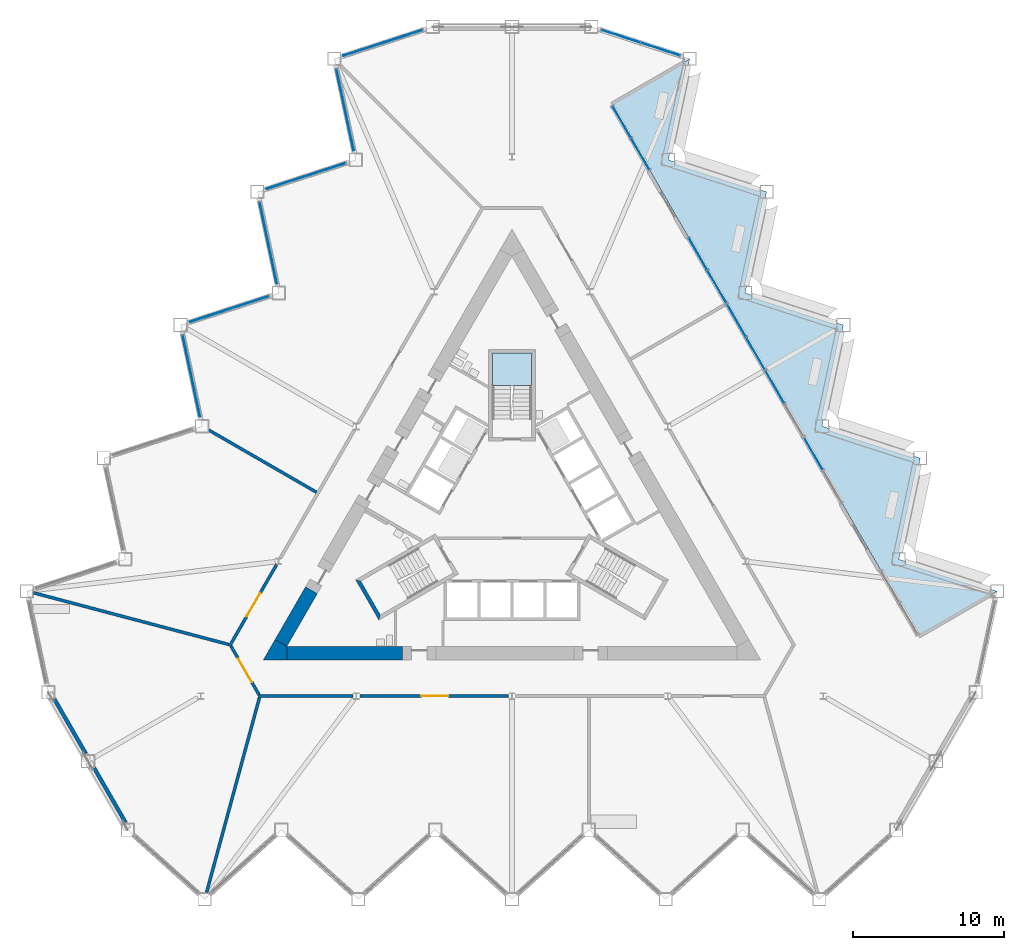
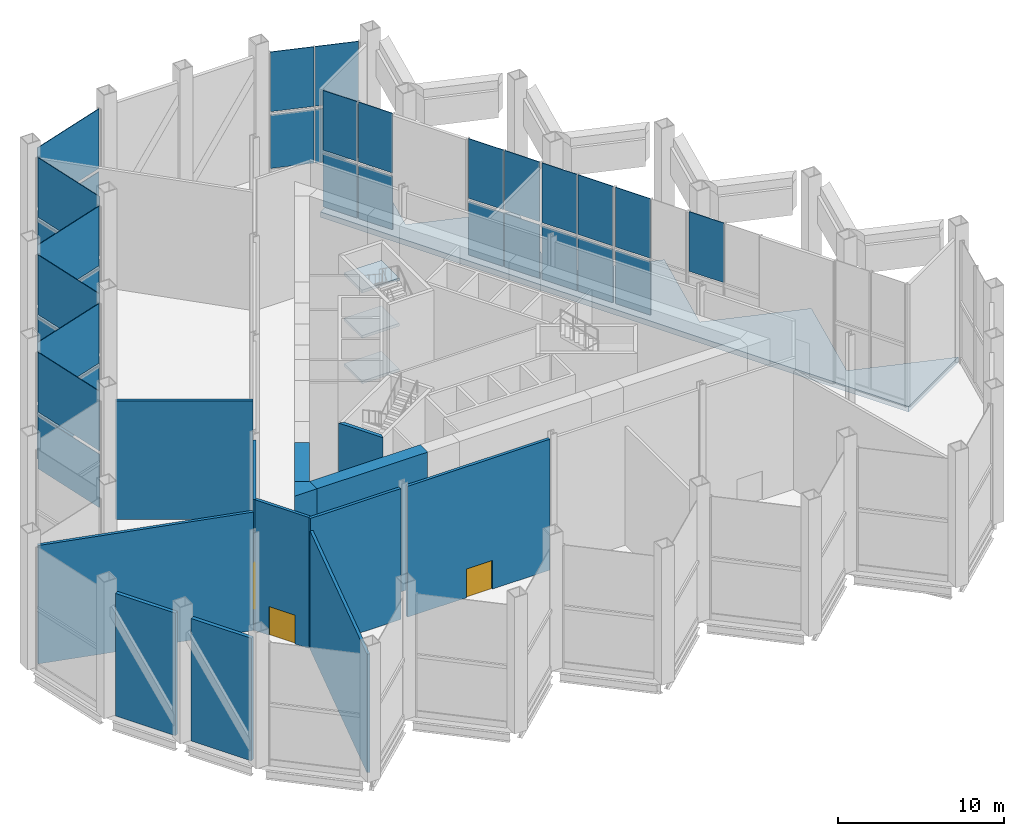
# One storey, part 8 of 18: 31 plates, 13 walls, 4 slabs, 3 doors, 3 openings, 8 elements without a shape of their own.
"""IFC4 building model written with IfcOpenShell, lengths in metres."""

import ifcopenshell
import ifcopenshell.guid

model = None  # the IFC model being written
_history = None  # IfcOwnerHistory: only IFC2X3 demands one
_inside = {}  # id of a spatial element -> (the spatial element, [elements in it])
_under = {}  # id of a project, library or spatial element -> (it, [spatial elements below it])
_declared = {}  # id of a project -> (the project, [libraries it declares])
_typed = {}  # id of a type object -> (the type object, [elements of that type])
_made_of = {}  # id of a material, layer set ... -> (it, [elements and type objects made of it])


def new_model(schema):
    """Start an empty IFC model of exactly this schema.

    Asked for "IFC4X3", IfcOpenShell would pick the latest addendum, in which some entities
    have other attributes; the version numbers below select the first issue.
    IFC2X3 requires an IfcOwnerHistory on every rooted entity: one is made here for all.
    """
    global model, _history
    if schema == "IFC4X3":
        model = ifcopenshell.file(schema_version=(4, 3, 0, 0))
    else:
        model = ifcopenshell.file(schema=schema)
    _inside.clear()
    _under.clear()
    _declared.clear()
    _typed.clear()
    _made_of.clear()
    _history = None
    if model.schema == "IFC2X3":
        org = make("IfcOrganization", Name="unknown")
        user = make(
            "IfcPersonAndOrganization",
            ThePerson=make("IfcPerson", FamilyName="unknown"),
            TheOrganization=org,
        )
        app = make(
            "IfcApplication",
            ApplicationDeveloper=org,
            Version="unknown",
            ApplicationFullName="unknown",
            ApplicationIdentifier="unknown",
        )
        _history = make(
            "IfcOwnerHistory",
            OwningUser=user,
            OwningApplication=app,
            ChangeAction="ADDED",
            CreationDate=0,
        )
    return model


def make(cls, **values):
    """One entity of the class cls with the attributes given. An attribute that is None is left unset."""
    return model.create_entity(
        cls, **{name: value for name, value in values.items() if value is not None}
    )


def rooted(cls, **values):
    """An entity with a GlobalId (a new one), such as an element, a storey or a relation."""
    return make(cls, GlobalId=ifcopenshell.guid.new(), OwnerHistory=_history, **values)


def si_unit(unit_type, name, prefix=None):
    """IfcSIUnit, for example si_unit("LENGTHUNIT", "METRE", prefix="MILLI")."""
    return make("IfcSIUnit", UnitType=unit_type, Prefix=prefix, Name=name)


def assignment(units):
    """IfcUnitAssignment: the units of a project."""
    return None if units is None else make("IfcUnitAssignment", Units=units)


def point(xyz):
    """IfcCartesianPoint."""
    return None if xyz is None else make("IfcCartesianPoint", Coordinates=xyz)


def direction(xyz):
    """IfcDirection."""
    return None if xyz is None else make("IfcDirection", DirectionRatios=xyz)


def frame(location, z_axis=None, x_axis=None):
    """IfcAxis2Placement3D, a coordinate frame: its origin and axes. An axis left out is left unset."""
    return make(
        "IfcAxis2Placement3D",
        Location=point(location),
        Axis=direction(z_axis),
        RefDirection=direction(x_axis),
    )


def frame_2d(location, x_axis=None):
    """IfcAxis2Placement2D, a coordinate frame in the plane: its origin and x axis."""
    return make(
        "IfcAxis2Placement2D", Location=point(location), RefDirection=direction(x_axis)
    )


def origin():
    """The frame at (0, 0, 0) with its axes left unset."""
    return frame((0.0, 0.0, 0.0))


def origin_2d():
    """The frame at (0, 0) in the plane with its x axis left unset."""
    return frame_2d((0.0, 0.0))


def place(relative_to, where):
    """IfcLocalPlacement: puts the frame where relative to a parent placement (None: the world)."""
    return make(
        "IfcLocalPlacement", PlacementRelTo=relative_to, RelativePlacement=where
    )


def context(
    kind, dimensions, precision=None, world=None, true_north=None, identifier=None
):
    """IfcGeometricRepresentationContext, for example the 3D "Model" context."""
    return make(
        "IfcGeometricRepresentationContext",
        ContextIdentifier=identifier,
        ContextType=kind,
        CoordinateSpaceDimension=dimensions,
        Precision=precision,
        WorldCoordinateSystem=world,
        TrueNorth=true_north,
    )


def subcontext(parent, identifier, kind, view, scale=None):
    """IfcGeometricRepresentationSubContext, for example "Body" below "Model"."""
    return make(
        "IfcGeometricRepresentationSubContext",
        ContextIdentifier=identifier,
        ContextType=kind,
        ParentContext=parent,
        TargetScale=scale,
        TargetView=view,
    )


def project(units=None, contexts=None):
    """IfcProject with its units and contexts."""
    return rooted(
        "IfcProject",
        Name="project",
        RepresentationContexts=contexts,
        UnitsInContext=assignment(units),
    )


def spatial(cls, under=None, at=None, **own):
    """A site, building, storey or space (cls), placed at a placement, below another one or the project."""
    s = rooted(cls, ObjectPlacement=at, **own)
    if under is not None:
        _under.setdefault(under.id(), (under, []))[1].append(s)
    return s


def polyline(points):
    """IfcPolyline through the points."""
    return make("IfcPolyline", Points=[point(p) for p in points])


def profile(cls, at=None, kind="AREA", **sizes):
    """A parametric profile (cls). Its sizes go by their IFC names, for example OverallWidth=200.0."""
    return make(cls, ProfileType=kind, Position=at, **sizes)


def rectangle(**sizes):
    """IfcRectangleProfileDef."""
    return profile("IfcRectangleProfileDef", **sizes)


def outline(outer, holes=None, kind="AREA"):
    """IfcArbitraryClosedProfileDef: a profile drawn as a closed curve; with holes, ...WithVoids."""
    if holes is None:
        return make("IfcArbitraryClosedProfileDef", ProfileType=kind, OuterCurve=outer)
    return make(
        "IfcArbitraryProfileDefWithVoids",
        ProfileType=kind,
        OuterCurve=outer,
        InnerCurves=holes,
    )


def extrude(swept, where, along, depth):
    """IfcExtrudedAreaSolid: the profile swept, set in the frame where, extruded along a direction by depth."""
    return make(
        "IfcExtrudedAreaSolid",
        SweptArea=swept,
        Position=where,
        ExtrudedDirection=direction(along),
        Depth=depth,
    )


def shape(context_of_items, identifier, shape_type, items):
    """IfcShapeRepresentation: the items that make up one representation, for example the "Body"."""
    return make(
        "IfcShapeRepresentation",
        ContextOfItems=context_of_items,
        RepresentationIdentifier=identifier,
        RepresentationType=shape_type,
        Items=items,
    )


def material(Name=None, Category=None):
    """IfcMaterial."""
    return make("IfcMaterial", Name=Name, Category=Category)


def layer(
    of_material, thickness, ventilated=None, Name=None, Category=None, Priority=None
):
    """IfcMaterialLayer: one layer of a wall or slab, of a material (None: an air gap)."""
    return make(
        "IfcMaterialLayer",
        Material=of_material,
        LayerThickness=thickness,
        IsVentilated=ventilated,
        Name=Name,
        Category=Category,
        Priority=Priority,
    )


def layer_set(layers, Name=None):
    """IfcMaterialLayerSet."""
    return make("IfcMaterialLayerSet", MaterialLayers=layers, LayerSetName=Name)


def made_of(thing, what):
    """Note that an element or type object is made of a material, layer set ...; save() writes the relation."""
    if what is not None:
        _made_of.setdefault(what.id(), (what, []))[1].append(thing)
    return thing


def type_object(cls, material=None, **own):
    """A type object (cls), such as IfcWallType, which elements share."""
    return made_of(rooted(cls, **own), material)


def element(
    cls,
    number,
    at=None,
    inside=None,
    cuts=None,
    type_object=None,
    material=None,
    context=None,
    identifier="Body",
    shape_type=None,
    held_by="IfcProductDefinitionShape",
    body=None,
    shapes=None,
    **own,
):
    """One element of the class cls, such as IfcWall. Its Tag is "e" and its number.

    at: its placement. inside: the storey or other place that contains it. cuts: it is an
    opening in that element (IfcRelVoidsElement). A single representation is given by context,
    identifier, shape_type and body (its items); several are given by shapes. held_by: the class
    of the entity that holds the representations. save() writes the other relations.
    """
    e = rooted(cls, Tag="e%d" % number, ObjectPlacement=at, **own)
    if body is not None:
        shapes = [shape(context, identifier, shape_type, body)]
    if shapes is not None:
        e.Representation = make(held_by, Representations=shapes)
    if inside is not None:
        _inside.setdefault(inside.id(), (inside, []))[1].append(e)
    if cuts is not None:
        rooted(
            "IfcRelVoidsElement", RelatingBuildingElement=cuts, RelatedOpeningElement=e
        )
    if type_object is not None:
        _typed.setdefault(type_object.id(), (type_object, []))[1].append(e)
    return made_of(e, material)


def fill(opening, filler):
    """IfcRelFillsElement: the door or window that sits in an opening."""
    return rooted(
        "IfcRelFillsElement",
        RelatingOpeningElement=opening,
        RelatedBuildingElement=filler,
    )


def aggregate(whole, parts):
    """IfcRelAggregates: a whole, such as a stair, and the parts it consists of."""
    return rooted("IfcRelAggregates", RelatingObject=whole, RelatedObjects=parts)


def save(model, path):
    """Write the relations noted so far, then the file.

    IfcRelAggregates (storeys below a building ...), IfcRelContainedInSpatialStructure (elements
    in a storey), IfcRelDefinesByType, IfcRelAssociatesMaterial and IfcRelDeclares: one each for
    every whole, place, type object, material and project.
    """
    for whole, parts in _under.values():
        aggregate(whole, parts)
    for where, things in _inside.values():
        rooted(
            "IfcRelContainedInSpatialStructure",
            RelatedElements=things,
            RelatingStructure=where,
        )
    for kind, things in _typed.values():
        rooted("IfcRelDefinesByType", RelatedObjects=things, RelatingType=kind)
    for what, things in _made_of.values():
        rooted("IfcRelAssociatesMaterial", RelatedObjects=things, RelatingMaterial=what)
    for by, libraries in _declared.values():
        rooted("IfcRelDeclares", RelatingContext=by, RelatedDefinitions=libraries)
    model.write(path)


model = new_model("IFC4")

# Units and contexts
model_context = context("Model", 3, precision=1e-05, world=origin(), true_north=direction((0.0, 1.0)))
body_context = subcontext(model_context, "Body", "Model", "MODEL_VIEW")
ifc_project = project(units=[si_unit("LENGTHUNIT", "METRE"), si_unit("AREAUNIT", "SQUARE_METRE"), si_unit("VOLUMEUNIT", "CUBIC_METRE"), si_unit("PLANEANGLEUNIT", "RADIAN"), si_unit("MASSUNIT", "GRAM", prefix="KILO")], contexts=[model_context])

# Site, building, storey
site_placement = place(None, origin())
site = spatial("IfcSite", under=ifc_project, at=site_placement, CompositionType="ELEMENT")
building_placement = place(site_placement, origin())
building = spatial("IfcBuilding", under=site, at=building_placement, Name="Cormorant Prow Tower", CompositionType="ELEMENT")
storey_placement = place(building_placement, frame((0.0, 0.0, 154.199951171875)))
storey = spatial("IfcBuildingStorey", under=building, at=storey_placement, Name="L33", CompositionType="ELEMENT", Elevation=154.199951171875)

# Curtain wall, plates
ifc_material_1 = material(Name="Aluminium 6063-T6", Category="aluminium")
ifc_layer_1 = layer(ifc_material_1, 0.300048828125)
ifc_layer_set_1 = layer_set([ifc_layer_1], Name="Aluminium 6063-T6")
curtain_wall_type = type_object("IfcCurtainWallType", Name="Sky lobby unitised curtain wall 300", PredefinedType="NOTDEFINED", material=ifc_layer_set_1)
curtain_wall_1_placement = place(storey_placement, origin())
curtain_wall_1 = element("IfcCurtainWall", 1, at=curtain_wall_1_placement, inside=storey, type_object=curtain_wall_type, Name="Sky lobby curtain wall ENE09", PredefinedType="NOTDEFINED")
ifc_material_2 = material(Name="Clear glass", Category="glass")
ifc_layer_2 = layer(ifc_material_2, 0.0439453125)
ifc_layer_set_2 = layer_set([ifc_layer_2], Name="Clear glass")
plate_type = type_object("IfcPlateType", Name="Sky lobby glass panel 44", PredefinedType="CURTAIN_PANEL", material=ifc_layer_set_2)
plate_1_placement = place(storey_placement, frame((9.84326171875, 31.0009765625, 0.4501953125), z_axis=(0.0, 0.0, 1.0), x_axis=(-0.951056482101, 0.309017099613, 0.0)))
plate_1 = element("IfcPlate", 2, at=plate_1_placement, type_object=plate_type, Name="Sky lobby glass panel ENE09", PredefinedType="CURTAIN_PANEL", context=body_context, shape_type="SweptSolid", body=[
    extrude(rectangle(XDim=2.67529296875, YDim=0.0439453125, at=origin_2d()), origin(), (0.0, 0.0, 1.0), 3.92431640625),
])
plate_2_placement = place(storey_placement, frame((7.222900390625, 31.852294921875, 0.4501953125), z_axis=(0.0, 0.0, 1.0), x_axis=(-0.951056482101, 0.309017099613, 0.0)))
plate_2 = element("IfcPlate", 3, at=plate_2_placement, type_object=plate_type, Name="Sky lobby glass panel ENE09", PredefinedType="CURTAIN_PANEL", context=body_context, shape_type="SweptSolid", body=[
    extrude(rectangle(XDim=2.67529296875, YDim=0.0439453125, at=origin_2d()), origin(), (0.0, 0.0, 1.0), 3.92431640625),
])
plate_3_placement = place(storey_placement, frame((9.84326171875, 31.0009765625, 4.614501953125), z_axis=(0.0, 0.0, 1.0), x_axis=(-0.951056482101, 0.309017099613, 0.0)))
plate_3 = element("IfcPlate", 4, at=plate_3_placement, type_object=plate_type, Name="Sky lobby glass panel ENE09", PredefinedType="CURTAIN_PANEL", context=body_context, shape_type="SweptSolid", body=[
    extrude(rectangle(XDim=2.67529296875, YDim=0.0439453125, at=origin_2d()), origin(), (0.0, 0.0, 1.0), 4.37451171875),
])
plate_4_placement = place(storey_placement, frame((7.222900390625, 31.852294921875, 4.614501953125), z_axis=(0.0, 0.0, 1.0), x_axis=(-0.951056482101, 0.309017099613, 0.0)))
plate_4 = element("IfcPlate", 5, at=plate_4_placement, type_object=plate_type, Name="Sky lobby glass panel ENE09", PredefinedType="CURTAIN_PANEL", context=body_context, shape_type="SweptSolid", body=[
    extrude(rectangle(XDim=2.67529296875, YDim=0.0439453125, at=origin_2d()), origin(), (0.0, 0.0, 1.0), 4.37451171875),
])
aggregate(curtain_wall_1, [plate_1, plate_2, plate_3, plate_4])

curtain_wall_2_placement = place(storey_placement, origin())
curtain_wall_2 = element("IfcCurtainWall", 6, at=curtain_wall_2_placement, inside=storey, type_object=curtain_wall_type, Name="Sky lobby curtain wall WNW00-WNW09", PredefinedType="NOTDEFINED")
plate_5_placement = place(storey_placement, frame((-8.571044921875, 31.414306640625, 0.4501953125), z_axis=(0.0, 0.0, 1.0), x_axis=(-0.951056482101, -0.309017099613, 0.0)))
plate_5 = element("IfcPlate", 7, at=plate_5_placement, type_object=plate_type, Name="Sky lobby glass panel WNW00-WNW09", PredefinedType="CURTAIN_PANEL", context=body_context, shape_type="SweptSolid", body=[
    extrude(rectangle(XDim=5.5107421875, YDim=0.0439453125, at=origin_2d()), origin(), (0.0, 0.0, 1.0), 3.92431640625),
])
plate_6_placement = place(storey_placement, frame((-8.571044921875, 31.414306640625, 4.614501953125), z_axis=(0.0, 0.0, 1.0), x_axis=(-0.951056482101, -0.309017099613, 0.0)))
plate_6 = element("IfcPlate", 8, at=plate_6_placement, type_object=plate_type, Name="Sky lobby glass panel WNW00-WNW09", PredefinedType="CURTAIN_PANEL", context=body_context, shape_type="SweptSolid", body=[
    extrude(rectangle(XDim=5.5107421875, YDim=0.0439453125, at=origin_2d()), origin(), (0.0, 0.0, 1.0), 4.37451171875),
])
plate_7_placement = place(storey_placement, frame((-11.07470703125, 26.970703125, 0.4501953125), z_axis=(0.0, 0.0, 1.0), x_axis=(0.207911585518, -0.978147623116, 0.0)))
plate_7 = element("IfcPlate", 9, at=plate_7_placement, type_object=plate_type, Name="Sky lobby glass panel WNW00-WNW09", PredefinedType="CURTAIN_PANEL", context=body_context, shape_type="SweptSolid", body=[
    extrude(rectangle(XDim=5.5107421875, YDim=0.0439453125, at=origin_2d()), origin(), (0.0, 0.0, 1.0), 3.92431640625),
])
plate_8_placement = place(storey_placement, frame((-11.07470703125, 26.970703125, 4.614501953125), z_axis=(0.0, 0.0, 1.0), x_axis=(0.207911585518, -0.978147623116, 0.0)))
plate_8 = element("IfcPlate", 10, at=plate_8_placement, type_object=plate_type, Name="Sky lobby glass panel WNW00-WNW09", PredefinedType="CURTAIN_PANEL", context=body_context, shape_type="SweptSolid", body=[
    extrude(rectangle(XDim=5.5107421875, YDim=0.0439453125, at=origin_2d()), origin(), (0.0, 0.0, 1.0), 4.37451171875),
])
plate_9_placement = place(storey_placement, frame((-13.671142578125, 22.580810546875, 0.4501953125), z_axis=(0.0, 0.0, 1.0), x_axis=(-0.951056496016, -0.309017056787, 0.0)))
plate_9 = element("IfcPlate", 11, at=plate_9_placement, type_object=plate_type, Name="Sky lobby glass panel WNW00-WNW09", PredefinedType="CURTAIN_PANEL", context=body_context, shape_type="SweptSolid", body=[
    extrude(rectangle(XDim=5.5107421875, YDim=0.0439453125, at=origin_2d()), origin(), (0.0, 0.0, 1.0), 3.92431640625),
])
plate_10_placement = place(storey_placement, frame((-13.671142578125, 22.580810546875, 4.614501953125), z_axis=(0.0, 0.0, 1.0), x_axis=(-0.951056496016, -0.309017056787, 0.0)))
plate_10 = element("IfcPlate", 12, at=plate_10_placement, type_object=plate_type, Name="Sky lobby glass panel WNW00-WNW09", PredefinedType="CURTAIN_PANEL", context=body_context, shape_type="SweptSolid", body=[
    extrude(rectangle(XDim=5.5107421875, YDim=0.0439453125, at=origin_2d()), origin(), (0.0, 0.0, 1.0), 4.37451171875),
])
plate_11_placement = place(storey_placement, frame((-16.174560546875, 18.137451171875, 0.4501953125), z_axis=(0.0, 0.0, 1.0), x_axis=(0.207911724944, -0.97814759348, 0.0)))
plate_11 = element("IfcPlate", 13, at=plate_11_placement, type_object=plate_type, Name="Sky lobby glass panel WNW00-WNW09", PredefinedType="CURTAIN_PANEL", context=body_context, shape_type="SweptSolid", body=[
    extrude(rectangle(XDim=5.5107421875, YDim=0.0439453125, at=origin_2d()), origin(), (0.0, 0.0, 1.0), 3.92431640625),
])
plate_12_placement = place(storey_placement, frame((-16.174560546875, 18.137451171875, 4.614501953125), z_axis=(0.0, 0.0, 1.0), x_axis=(0.207911724944, -0.97814759348, 0.0)))
plate_12 = element("IfcPlate", 14, at=plate_12_placement, type_object=plate_type, Name="Sky lobby glass panel WNW00-WNW09", PredefinedType="CURTAIN_PANEL", context=body_context, shape_type="SweptSolid", body=[
    extrude(rectangle(XDim=5.5107421875, YDim=0.0439453125, at=origin_2d()), origin(), (0.0, 0.0, 1.0), 4.37451171875),
])
plate_13_placement = place(storey_placement, frame((-18.77099609375, 13.74755859375, 0.4501953125), z_axis=(0.0, 0.0, 1.0), x_axis=(-0.951056496016, -0.309017056787, 0.0)))
plate_13 = element("IfcPlate", 15, at=plate_13_placement, type_object=plate_type, Name="Sky lobby glass panel WNW00-WNW09", PredefinedType="CURTAIN_PANEL", context=body_context, shape_type="SweptSolid", body=[
    extrude(rectangle(XDim=5.5107421875, YDim=0.0439453125, at=origin_2d()), origin(), (0.0, 0.0, 1.0), 3.92431640625),
])
plate_14_placement = place(storey_placement, frame((-18.77099609375, 13.74755859375, 4.614501953125), z_axis=(0.0, 0.0, 1.0), x_axis=(-0.951056496016, -0.309017056787, 0.0)))
plate_14 = element("IfcPlate", 16, at=plate_14_placement, type_object=plate_type, Name="Sky lobby glass panel WNW00-WNW09", PredefinedType="CURTAIN_PANEL", context=body_context, shape_type="SweptSolid", body=[
    extrude(rectangle(XDim=5.5107421875, YDim=0.0439453125, at=origin_2d()), origin(), (0.0, 0.0, 1.0), 4.37451171875),
])
plate_15_placement = place(storey_placement, frame((-21.274658203125, 9.30419921875, 0.4501953125), z_axis=(0.0, 0.0, 1.0), x_axis=(0.207911724944, -0.97814759348, 0.0)))
plate_15 = element("IfcPlate", 17, at=plate_15_placement, type_object=plate_type, Name="Sky lobby glass panel WNW00-WNW09", PredefinedType="CURTAIN_PANEL", context=body_context, shape_type="SweptSolid", body=[
    extrude(rectangle(XDim=5.5107421875, YDim=0.0439453125, at=origin_2d()), origin(), (0.0, 0.0, 1.0), 3.92431640625),
])
plate_16_placement = place(storey_placement, frame((-21.274658203125, 9.30419921875, 4.614501953125), z_axis=(0.0, 0.0, 1.0), x_axis=(0.207911724944, -0.97814759348, 0.0)))
plate_16 = element("IfcPlate", 18, at=plate_16_placement, type_object=plate_type, Name="Sky lobby glass panel WNW00-WNW09", PredefinedType="CURTAIN_PANEL", context=body_context, shape_type="SweptSolid", body=[
    extrude(rectangle(XDim=5.5107421875, YDim=0.0439453125, at=origin_2d()), origin(), (0.0, 0.0, 1.0), 4.37451171875),
])
aggregate(curtain_wall_2, [plate_5, plate_6, plate_7, plate_8, plate_9, plate_10, plate_11, plate_12, plate_13, plate_14, plate_15, plate_16])

# Curtain wall, plate
curtain_wall_3_placement = place(storey_placement, origin())
curtain_wall_3 = element("IfcCurtainWall", 19, at=curtain_wall_3_placement, inside=storey, type_object=curtain_wall_type, Name="Sky lobby curtain wall loggia ENE03", PredefinedType="NOTDEFINED")
plate_17_placement = place(storey_placement, frame((19.99755859375, 4.161376953125, 4.614501953125), z_axis=(0.0, 0.0, 1.0), x_axis=(-0.499999988603, 0.866025410364, 0.0)))
plate_17 = element("IfcPlate", 20, at=plate_17_placement, type_object=plate_type, Name="Sky lobby glass panel loggia ENE03", PredefinedType="CURTAIN_PANEL", context=body_context, shape_type="SweptSolid", body=[
    extrude(rectangle(XDim=2.429931640625, YDim=0.0439453125, at=origin_2d()), origin(), (0.0, 0.0, 1.0), 4.37451171875),
])
aggregate(curtain_wall_3, [plate_17])

# Curtain wall, plates
curtain_wall_4_placement = place(storey_placement, origin())
curtain_wall_4 = element("IfcCurtainWall", 21, at=curtain_wall_4_placement, inside=storey, type_object=curtain_wall_type, Name="Sky lobby curtain wall loggia ENE04", PredefinedType="NOTDEFINED")
plate_18_placement = place(storey_placement, frame((17.44775390625, 8.578125, 0.4501953125), z_axis=(0.0, 0.0, 1.0), x_axis=(-0.499999988603, 0.866025410364, 0.0)))
plate_18 = element("IfcPlate", 22, at=plate_18_placement, type_object=plate_type, Name="Sky lobby glass panel loggia ENE04", PredefinedType="CURTAIN_PANEL", context=body_context, shape_type="SweptSolid", body=[
    extrude(rectangle(XDim=2.429931640625, YDim=0.0439453125, at=origin_2d()), origin(), (0.0, 0.0, 1.0), 3.92431640625),
])
plate_19_placement = place(storey_placement, frame((17.44775390625, 8.578125, 4.614501953125), z_axis=(0.0, 0.0, 1.0), x_axis=(-0.499999988603, 0.866025410364, 0.0)))
plate_19 = element("IfcPlate", 23, at=plate_19_placement, type_object=plate_type, Name="Sky lobby glass panel loggia ENE04", PredefinedType="CURTAIN_PANEL", context=body_context, shape_type="SweptSolid", body=[
    extrude(rectangle(XDim=2.429931640625, YDim=0.0439453125, at=origin_2d()), origin(), (0.0, 0.0, 1.0), 4.37451171875),
])
aggregate(curtain_wall_4, [plate_18, plate_19])

curtain_wall_5_placement = place(storey_placement, origin())
curtain_wall_5 = element("IfcCurtainWall", 24, at=curtain_wall_5_placement, inside=storey, type_object=curtain_wall_type, Name="Sky lobby curtain wall loggia ENE05", PredefinedType="NOTDEFINED")
plate_20_placement = place(storey_placement, frame((16.152587890625, 10.821044921875, 0.4501953125), z_axis=(0.0, 0.0, 1.0), x_axis=(-0.499999988603, 0.866025410364, 0.0)))
plate_20 = element("IfcPlate", 25, at=plate_20_placement, type_object=plate_type, Name="Sky lobby glass panel loggia ENE05", PredefinedType="CURTAIN_PANEL", context=body_context, shape_type="SweptSolid", body=[
    extrude(rectangle(XDim=2.429931640625, YDim=0.0439453125, at=origin_2d()), origin(), (0.0, 0.0, 1.0), 3.92431640625),
])
plate_21_placement = place(storey_placement, frame((14.897705078125, 12.994873046875, 0.4501953125), z_axis=(0.0, 0.0, 1.0), x_axis=(-0.499999988603, 0.866025410364, 0.0)))
plate_21 = element("IfcPlate", 26, at=plate_21_placement, type_object=plate_type, Name="Sky lobby glass panel loggia ENE05", PredefinedType="CURTAIN_PANEL", context=body_context, shape_type="SweptSolid", body=[
    extrude(rectangle(XDim=2.429931640625, YDim=0.0439453125, at=origin_2d()), origin(), (0.0, 0.0, 1.0), 3.92431640625),
])
plate_22_placement = place(storey_placement, frame((16.152587890625, 10.821044921875, 4.614501953125), z_axis=(0.0, 0.0, 1.0), x_axis=(-0.499999988603, 0.866025410364, 0.0)))
plate_22 = element("IfcPlate", 27, at=plate_22_placement, type_object=plate_type, Name="Sky lobby glass panel loggia ENE05", PredefinedType="CURTAIN_PANEL", context=body_context, shape_type="SweptSolid", body=[
    extrude(rectangle(XDim=2.429931640625, YDim=0.0439453125, at=origin_2d()), origin(), (0.0, 0.0, 1.0), 4.37451171875),
])
plate_23_placement = place(storey_placement, frame((14.897705078125, 12.994873046875, 4.614501953125), z_axis=(0.0, 0.0, 1.0), x_axis=(-0.499999988603, 0.866025410364, 0.0)))
plate_23 = element("IfcPlate", 28, at=plate_23_placement, type_object=plate_type, Name="Sky lobby glass panel loggia ENE05", PredefinedType="CURTAIN_PANEL", context=body_context, shape_type="SweptSolid", body=[
    extrude(rectangle(XDim=2.429931640625, YDim=0.0439453125, at=origin_2d()), origin(), (0.0, 0.0, 1.0), 4.37451171875),
])
aggregate(curtain_wall_5, [plate_20, plate_21, plate_22, plate_23])

curtain_wall_6_placement = place(storey_placement, origin())
curtain_wall_6 = element("IfcCurtainWall", 29, at=curtain_wall_6_placement, inside=storey, type_object=curtain_wall_type, Name="Sky lobby curtain wall loggia ENE06", PredefinedType="NOTDEFINED")
plate_24_placement = place(storey_placement, frame((13.602783203125, 15.23779296875, 0.4501953125), z_axis=(0.0, 0.0, 1.0), x_axis=(-0.499999988603, 0.866025410364, 0.0)))
plate_24 = element("IfcPlate", 30, at=plate_24_placement, type_object=plate_type, Name="Sky lobby glass panel loggia ENE06", PredefinedType="CURTAIN_PANEL", context=body_context, shape_type="SweptSolid", body=[
    extrude(rectangle(XDim=2.429931640625, YDim=0.0439453125, at=origin_2d()), origin(), (0.0, 0.0, 1.0), 3.92431640625),
])
plate_25_placement = place(storey_placement, frame((12.34765625, 17.411376953125, 0.4501953125), z_axis=(0.0, 0.0, 1.0), x_axis=(-0.499999988603, 0.866025410364, 0.0)))
plate_25 = element("IfcPlate", 31, at=plate_25_placement, type_object=plate_type, Name="Sky lobby glass panel loggia ENE06", PredefinedType="CURTAIN_PANEL", context=body_context, shape_type="SweptSolid", body=[
    extrude(rectangle(XDim=2.429931640625, YDim=0.0439453125, at=origin_2d()), origin(), (0.0, 0.0, 1.0), 3.92431640625),
])
plate_26_placement = place(storey_placement, frame((13.602783203125, 15.23779296875, 4.614501953125), z_axis=(0.0, 0.0, 1.0), x_axis=(-0.499999988603, 0.866025410364, 0.0)))
plate_26 = element("IfcPlate", 32, at=plate_26_placement, type_object=plate_type, Name="Sky lobby glass panel loggia ENE06", PredefinedType="CURTAIN_PANEL", context=body_context, shape_type="SweptSolid", body=[
    extrude(rectangle(XDim=2.429931640625, YDim=0.0439453125, at=origin_2d()), origin(), (0.0, 0.0, 1.0), 4.37451171875),
])
plate_27_placement = place(storey_placement, frame((12.34765625, 17.411376953125, 4.614501953125), z_axis=(0.0, 0.0, 1.0), x_axis=(-0.499999988603, 0.866025410364, 0.0)))
plate_27 = element("IfcPlate", 33, at=plate_27_placement, type_object=plate_type, Name="Sky lobby glass panel loggia ENE06", PredefinedType="CURTAIN_PANEL", context=body_context, shape_type="SweptSolid", body=[
    extrude(rectangle(XDim=2.429931640625, YDim=0.0439453125, at=origin_2d()), origin(), (0.0, 0.0, 1.0), 4.37451171875),
])
aggregate(curtain_wall_6, [plate_24, plate_25, plate_26, plate_27])

curtain_wall_7_placement = place(storey_placement, origin())
curtain_wall_7 = element("IfcCurtainWall", 34, at=curtain_wall_7_placement, inside=storey, type_object=curtain_wall_type, Name="Sky lobby curtain wall loggia ENE08", PredefinedType="NOTDEFINED")
plate_28_placement = place(storey_placement, frame((8.5166015625, 24.04736328125, 0.4501953125), z_axis=(0.0, 0.0, 1.0), x_axis=(-0.499999988603, 0.866025410364, 0.0)))
plate_28 = element("IfcPlate", 35, at=plate_28_placement, type_object=plate_type, Name="Sky lobby glass panel loggia ENE08", PredefinedType="CURTAIN_PANEL", context=body_context, shape_type="SweptSolid", body=[
    extrude(rectangle(XDim=2.375, YDim=0.0439453125, at=origin_2d()), origin(), (0.0, 0.0, 1.0), 3.92431640625),
])
plate_29_placement = place(storey_placement, frame((7.2890625, 26.17333984375, 0.4501953125), z_axis=(0.0, 0.0, 1.0), x_axis=(-0.499999988603, 0.866025410364, 0.0)))
plate_29 = element("IfcPlate", 36, at=plate_29_placement, type_object=plate_type, Name="Sky lobby glass panel loggia ENE08", PredefinedType="CURTAIN_PANEL", context=body_context, shape_type="SweptSolid", body=[
    extrude(rectangle(XDim=2.375, YDim=0.0439453125, at=origin_2d()), origin(), (0.0, 0.0, 1.0), 3.92431640625),
])
plate_30_placement = place(storey_placement, frame((8.5166015625, 24.04736328125, 4.614501953125), z_axis=(0.0, 0.0, 1.0), x_axis=(-0.499999988603, 0.866025410364, 0.0)))
plate_30 = element("IfcPlate", 37, at=plate_30_placement, type_object=plate_type, Name="Sky lobby glass panel loggia ENE08", PredefinedType="CURTAIN_PANEL", context=body_context, shape_type="SweptSolid", body=[
    extrude(rectangle(XDim=2.375, YDim=0.0439453125, at=origin_2d()), origin(), (0.0, 0.0, 1.0), 4.37451171875),
])
plate_31_placement = place(storey_placement, frame((7.2890625, 26.17333984375, 4.614501953125), z_axis=(0.0, 0.0, 1.0), x_axis=(-0.499999988603, 0.866025410364, 0.0)))
plate_31 = element("IfcPlate", 38, at=plate_31_placement, type_object=plate_type, Name="Sky lobby glass panel loggia ENE08", PredefinedType="CURTAIN_PANEL", context=body_context, shape_type="SweptSolid", body=[
    extrude(rectangle(XDim=2.375, YDim=0.0439453125, at=origin_2d()), origin(), (0.0, 0.0, 1.0), 4.37451171875),
])
aggregate(curtain_wall_7, [plate_28, plate_29, plate_30, plate_31])

# Stair, slabs
ifc_material_3 = material(Name="Exit stair 54 risers")
stair_type = type_object("IfcStairType", Name="Exit stair 54 risers", PredefinedType="HALF_TURN_STAIR", material=ifc_material_3)
stair_placement = place(storey_placement, origin())
stair = element("IfcStair", 39, at=stair_placement, inside=storey, type_object=stair_type, Name="L33 Exit stair ST3", PredefinedType="HALF_TURN_STAIR")
ifc_material_4 = material(Name="Concrete 5000 psi", Category="concrete")
ifc_layer_3 = layer(ifc_material_4, 0.199951171875)
ifc_layer_set_3 = layer_set([ifc_layer_3], Name="Concrete 5000 psi")
slab_type_1 = type_object("IfcSlabType", Name="Stair landing 200", PredefinedType="LANDING", material=ifc_layer_set_3)
slab_1_placement = place(storey_placement, frame((0.0, 0.0, 1.466796875)))
slab_1 = element("IfcSlab", 40, at=slab_1_placement, type_object=slab_type_1, Name="ST3 landing 1", PredefinedType="LANDING", context=body_context, shape_type="SweptSolid", body=[
    extrude(outline(polyline([(1.2939453125, 8.69189453125), (1.2939453125, 10.8369140625), (-1.2939453125, 10.8369140625), (-1.2939453125, 8.69189453125), (1.2939453125, 8.69189453125)])), origin(), (0.0, 0.0, 1.0), 0.199951171875),
])
slab_2_placement = place(storey_placement, frame((0.0, 0.0, 4.800048828125)))
slab_2 = element("IfcSlab", 41, at=slab_2_placement, type_object=slab_type_1, Name="ST3 landing 3", PredefinedType="LANDING", context=body_context, shape_type="SweptSolid", body=[
    extrude(outline(polyline([(1.2939453125, 8.69189453125), (1.2939453125, 10.8369140625), (-1.2939453125, 10.8369140625), (-1.2939453125, 8.69189453125), (1.2939453125, 8.69189453125)])), origin(), (0.0, 0.0, 1.0), 0.199951171875),
])
slab_3_placement = place(storey_placement, frame((0.0, 0.0, 8.13330078125)))
slab_3 = element("IfcSlab", 42, at=slab_3_placement, type_object=slab_type_1, Name="ST3 landing 5", PredefinedType="LANDING", context=body_context, shape_type="SweptSolid", body=[
    extrude(outline(polyline([(1.2939453125, 8.69189453125), (1.2939453125, 10.8369140625), (-1.2939453125, 10.8369140625), (-1.2939453125, 8.69189453125), (1.2939453125, 8.69189453125)])), origin(), (0.0, 0.0, 1.0), 0.2001953125),
])
aggregate(stair, [slab_1, slab_2, slab_3])

# Slab
ifc_material_5 = material(Name="Concrete C40/50", Category="concrete")
ifc_layer_4 = layer(ifc_material_5, 0.39990234375)
ifc_layer_set_4 = layer_set([ifc_layer_4], Name="Concrete C40/50")
slab_type_2 = type_object("IfcSlabType", Name="Terrace slab 400", PredefinedType="FLOOR", material=ifc_layer_set_4)
slab_4_placement = place(storey_placement, frame((0.0, 0.0, -0.39990234375)))
element("IfcSlab", 43, at=slab_4_placement, inside=storey, type_object=slab_type_2, Name="Loggia terrace slab L33", PredefinedType="FLOOR", context=body_context, shape_type="SweptSolid", body=[
    extrude(outline(polyline([(32.1962890625, -4.967041015625), (25.66943359375, -2.846435546875), (27.09619140625, 3.8662109375), (20.569580078125, 5.98681640625), (21.996337890625, 12.699462890625), (15.469482421875, 14.8203125), (16.896240234375, 21.532958984375), (10.36962890625, 23.653564453125), (11.79638671875, 30.3662109375), (6.600341796875, 27.3662109375), (27.0, -7.967041015625), (32.1962890625, -4.967041015625)])), origin(), (0.0, 0.0, 1.0), 0.39990234375),
])

# Walls
ifc_material_6 = material(Name="Concrete 8000 psi", Category="concrete")
ifc_layer_5 = layer(ifc_material_6, 0.89990234375)
ifc_layer_set_5 = layer_set([ifc_layer_5], Name="Concrete 8000 psi")
wall_type_1 = type_object("IfcWallType", Name="Core shear wall 900", PredefinedType="SHEAR", material=ifc_layer_set_5)
wall_1_placement = place(storey_placement, frame((-14.941162109375, -9.076416015625, 0.0), z_axis=(0.0, 0.0, 1.0), x_axis=(1.0, 0.0, 0.0)))
element("IfcWall", 44, at=wall_1_placement, inside=storey, type_object=wall_type_1, Name="Core wall", PredefinedType="SHEAR", context=body_context, shape_type="SweptSolid", body=[
    extrude(rectangle(XDim=7.68505859375, YDim=0.89990234375, at=frame_2d((3.842529296875, 0.0))), origin(), (0.0, 0.0, 1.0), 9.60009765625),
])
wall_2_placement = place(storey_placement, frame((-13.30810546875, -4.897705078125, 0.0), z_axis=(0.0, 0.0, 1.0), x_axis=(-0.499974938593, -0.866039872511, 0.0)))
element("IfcWall", 45, at=wall_2_placement, inside=storey, type_object=wall_type_1, Name="Core wall", PredefinedType="SHEAR", context=body_context, shape_type="SweptSolid", body=[
    extrude(rectangle(XDim=4.045654296875, YDim=0.89990234375, at=frame_2d((2.02294921875, 0.0))), origin(), (0.0, 0.0, 1.0), 9.60009765625),
])
wall_3_placement = place(storey_placement, origin())
element("IfcWall", 46, at=wall_3_placement, inside=storey, type_object=wall_type_1, Name="Core wall corner", PredefinedType="SHEAR", context=body_context, shape_type="SweptSolid", body=[
    extrude(outline(polyline([(-14.941162109375, -8.626220703125), (-14.941162109375, -9.5263671875), (-16.5, -9.5263671875), (-15.720703125, -8.17626953125), (-14.941162109375, -8.626220703125)])), origin(), (0.0, 0.0, 1.0), 9.60009765625),
])

# Wall, opening, door
ifc_material_7 = material(Name="Gypsum board corridor wall")
ifc_layer_6 = layer(ifc_material_7, 0.199951171875)
ifc_layer_set_6 = layer_set([ifc_layer_6], Name="Gypsum board corridor wall")
wall_type_2 = type_object("IfcWallType", Name="Corridor wall 200", PredefinedType="PARTITIONING", material=ifc_layer_set_6)
wall_4_placement = place(storey_placement, frame((-10.10107421875, -11.92626953125, 0.0), z_axis=(0.0, 0.0, 1.0), x_axis=(1.0, 0.0, 0.0)))
wall_4 = element("IfcWall", 47, at=wall_4_placement, inside=storey, type_object=wall_type_2, Name="Corridor wall", PredefinedType="PARTITIONING", context=body_context, shape_type="SweptSolid", body=[
    extrude(rectangle(XDim=9.873779296875, YDim=0.199951171875, at=frame_2d((4.93701171875, 0.0))), origin(), (0.0, 0.0, 1.0), 9.60009765625),
])
opening_1_placement = place(wall_4_placement, frame((4.08740234375, 0.0, 0.0)))
opening_1 = element("IfcOpeningElement", 48, at=opening_1_placement, cuts=wall_4, Name="Opening L33-F01", PredefinedType="OPENING", context=body_context, shape_type="SweptSolid", body=[
    extrude(rectangle(XDim=1.800048828125, YDim=2.10009765625, at=frame_2d((0.89990234375, 1.050048828125))), frame((0.0, 0.10986328125, 0.0), z_axis=(0.0, -1.0, 0.0), x_axis=(1.0, 0.0, 0.0)), (0.0, 0.0, 1.0), 0.219970703125),
])
ifc_material_8 = material(Name="Timber door leaf", Category="wood")
door_type = type_object("IfcDoorType", Name="Double door 1800x2100", OperationType="DOUBLE_DOOR_SINGLE_SWING", PredefinedType="DOOR", material=ifc_material_8)
door_1_placement = place(opening_1_placement, origin())
door_1 = element("IfcDoor", 49, at=door_1_placement, inside=storey, type_object=door_type, Name="Business centre door", OperationType="DOUBLE_DOOR_SINGLE_SWING", OverallHeight=2.10009765625, OverallWidth=1.800048828125, PredefinedType="DOOR", context=body_context, shape_type="SweptSolid", body=[
    extrude(rectangle(XDim=1.800048828125, YDim=2.10009765625, at=frame_2d((0.89990234375, 1.050048828125))), frame((0.0, 0.02490234375, 0.0), z_axis=(0.0, -1.0, 0.0), x_axis=(1.0, 0.0, 0.0)), (0.0, 0.0, 1.0), 0.050048828125),
])
fill(opening_1, door_1)

# Wall
wall_5_placement = place(storey_placement, frame((-16.830810546875, -11.92626953125, 0.0), z_axis=(0.0, 0.0, 1.0), x_axis=(1.0, 0.0, 0.0)))
element("IfcWall", 50, at=wall_5_placement, inside=storey, type_object=wall_type_2, Name="Corridor wall", PredefinedType="PARTITIONING", context=body_context, shape_type="SweptSolid", body=[
    extrude(rectangle(XDim=6.27490234375, YDim=0.199951171875, at=frame_2d((3.137451171875, 0.0))), origin(), (0.0, 0.0, 1.0), 9.60009765625),
])

# Wall, opening, door
wall_6_placement = place(storey_placement, frame((-18.743896484375, -8.61279296875, 0.0), z_axis=(0.0, 0.0, 1.0), x_axis=(0.499997920671, 0.866026604282, 0.0)))
wall_6 = element("IfcWall", 51, at=wall_6_placement, inside=storey, type_object=wall_type_2, Name="Corridor wall", PredefinedType="PARTITIONING", context=body_context, shape_type="SweptSolid", body=[
    extrude(rectangle(XDim=6.23974609375, YDim=0.199951171875, at=frame_2d((3.119873046875, 0.0))), origin(), (0.0, 0.0, 1.0), 9.60009765625),
])
opening_2_placement = place(wall_6_placement, frame((2.2705078125, 0.0, 0.0)))
opening_2 = element("IfcOpeningElement", 52, at=opening_2_placement, cuts=wall_6, Name="Opening L33-F06", PredefinedType="OPENING", context=body_context, shape_type="SweptSolid", body=[
    extrude(rectangle(XDim=1.800048828125, YDim=2.10009765625, at=frame_2d((0.89990234375, 1.050048828125))), frame((0.0, 0.10986328125, 0.0), z_axis=(0.0, -1.0, 0.0), x_axis=(1.0, 0.0, 0.0)), (0.0, 0.0, 1.0), 0.219970703125),
])
door_2_placement = place(opening_2_placement, origin())
door_2 = element("IfcDoor", 53, at=door_2_placement, inside=storey, type_object=door_type, Name="Sky restaurant door", OperationType="DOUBLE_DOOR_SINGLE_SWING", OverallHeight=2.10009765625, OverallWidth=1.800048828125, PredefinedType="DOOR", context=body_context, shape_type="SweptSolid", body=[
    extrude(rectangle(XDim=1.800048828125, YDim=2.10009765625, at=frame_2d((0.89990234375, 1.050048828125))), frame((0.0, 0.02490234375, 0.0), z_axis=(0.0, -1.0, 0.0), x_axis=(1.0, 0.0, 0.0)), (0.0, 0.0, 1.0), 0.050048828125),
])
fill(opening_2, door_2)

wall_7_placement = place(storey_placement, frame((-18.643798828125, -8.61279296875, 0.0), z_axis=(0.0, 0.0, 1.0), x_axis=(0.499958791762, -0.866049194065, 0.0)))
wall_7 = element("IfcWall", 54, at=wall_7_placement, inside=storey, type_object=wall_type_2, Name="Corridor wall", PredefinedType="PARTITIONING", context=body_context, shape_type="SweptSolid", body=[
    extrude(rectangle(XDim=3.725830078125, YDim=0.199951171875, at=frame_2d((1.86279296875, 0.0))), origin(), (0.0, 0.0, 1.0), 9.60009765625),
])
opening_3_placement = place(wall_7_placement, frame((0.962890625, 0.0, 0.0)))
opening_3 = element("IfcOpeningElement", 55, at=opening_3_placement, cuts=wall_7, Name="Opening L33-F07", PredefinedType="OPENING", context=body_context, shape_type="SweptSolid", body=[
    extrude(rectangle(XDim=1.800048828125, YDim=2.10009765625, at=frame_2d((0.89990234375, 1.050048828125))), frame((0.0, 0.10986328125, 0.0), z_axis=(0.0, -1.0, 0.0), x_axis=(1.0, 0.0, 0.0)), (0.0, 0.0, 1.0), 0.219970703125),
])
door_3_placement = place(opening_3_placement, origin())
door_3 = element("IfcDoor", 56, at=door_3_placement, inside=storey, type_object=door_type, Name="Catering kitchen door", OperationType="DOUBLE_DOOR_SINGLE_SWING", OverallHeight=2.10009765625, OverallWidth=1.800048828125, PredefinedType="DOOR", context=body_context, shape_type="SweptSolid", body=[
    extrude(rectangle(XDim=1.800048828125, YDim=2.10009765625, at=frame_2d((0.89990234375, 1.050048828125))), frame((0.0, 0.02490234375, 0.0), z_axis=(0.0, -1.0, 0.0), x_axis=(1.0, 0.0, 0.0)), (0.0, 0.0, 1.0), 0.050048828125),
])
fill(opening_3, door_3)

# Walls
ifc_material_9 = material(Name="Gypsum board demising wall")
ifc_layer_7 = layer(ifc_material_9, 0.199951171875)
ifc_layer_set_7 = layer_set([ifc_layer_7], Name="Gypsum board demising wall")
wall_type_3 = type_object("IfcWallType", Name="Demising wall 200", PredefinedType="PARTITIONING", material=ifc_layer_set_7)
wall_8_placement = place(storey_placement, frame((-31.736083984375, -5.0751953125, 0.0), z_axis=(0.0, 0.0, 1.0), x_axis=(0.966727906646, -0.255806869555, 0.0)))
element("IfcWall", 57, at=wall_8_placement, inside=storey, type_object=wall_type_3, Name="Demising wall", PredefinedType="PARTITIONING", context=body_context, shape_type="SweptSolid", body=[
    extrude(rectangle(XDim=13.39111328125, YDim=0.199951171875, at=frame_2d((6.695556640625, 0.0))), origin(), (0.0, 0.0, 1.0), 8.685302734375),
])
wall_9_placement = place(storey_placement, frame((-20.261474609375, -24.939208984375, 0.0), z_axis=(0.0, 0.0, 1.0), x_axis=(0.261845290604, 0.965109860994, 0.0)))
element("IfcWall", 58, at=wall_9_placement, inside=storey, type_object=wall_type_3, Name="Demising wall", PredefinedType="PARTITIONING", context=body_context, shape_type="SweptSolid", body=[
    extrude(rectangle(XDim=13.383544921875, YDim=0.199951171875, at=frame_2d((6.69189453125, 0.0))), origin(), (0.0, 0.0, 1.0), 8.685302734375),
])
wall_10_placement = place(storey_placement, frame((-20.109619140625, 5.72119140625, 0.0), z_axis=(0.0, 0.0, 1.0), x_axis=(0.866032814021, -0.499987164874, 0.0)))
element("IfcWall", 59, at=wall_10_placement, inside=storey, type_object=wall_type_3, Name="Demising wall", PredefinedType="PARTITIONING", context=body_context, shape_type="SweptSolid", body=[
    extrude(rectangle(XDim=8.249755859375, YDim=0.199951171875, at=frame_2d((4.125, 0.0))), origin(), (0.0, 0.0, 1.0), 8.685302734375),
])
ifc_material_10 = material(Name="Concrete 8000 psi", Category="concrete")
ifc_layer_8 = layer(ifc_material_10, 0.25)
ifc_layer_set_8 = layer_set([ifc_layer_8], Name="Concrete 8000 psi")
wall_type_4 = type_object("IfcWallType", Name="Stair wall 250", PredefinedType="SHEAR", material=ifc_layer_set_8)
wall_11_placement = place(storey_placement, origin())
element("IfcWall", 60, at=wall_11_placement, inside=storey, type_object=wall_type_4, Name="Stair ST1 enclosure wall (end)", PredefinedType="SHEAR", context=body_context, shape_type="SweptSolid", body=[
    extrude(outline(polyline([(-10.37353515625, -4.206298828125), (-8.82958984375, -6.880615234375), (-8.738037109375, -6.5390625), (-10.031982421875, -4.2978515625), (-10.37353515625, -4.206298828125)])), origin(), (0.0, 0.0, 1.0), 9.60009765625),
])
ifc_material_11 = material(Name="Terracotta", Category="masonry")
ifc_layer_9 = layer(ifc_material_11, 0.25)
ifc_layer_set_9 = layer_set([ifc_layer_9], Name="Terracotta")
wall_type_5 = type_object("IfcWallType", Name="Terracotta bay wall 250", PredefinedType="SOLIDWALL", material=ifc_layer_set_9)
for number, where, z_axis, x_axis, name in (
    (61, (-30.362548828125, -12.13427734375, 0.0), (0.0, 0.0, 1.0), (0.500001360749, -0.866024618154, 0.0), "Terracotta bay wall WSW00"),
    (62, (-27.727783203125, -16.697998046875, 0.0), (0.0, 0.0, 1.0), (0.500001360749, -0.866024618154, 0.0), "Terracotta bay wall WSW01"),
):
    element("IfcWall", number, at=place(storey_placement, frame(where, z_axis=z_axis, x_axis=x_axis)), inside=storey, type_object=wall_type_5, Name=name, PredefinedType="SOLIDWALL", context=body_context, shape_type="SweptSolid", body=[
        extrude(rectangle(XDim=4.16748046875, YDim=0.25, at=frame_2d((2.083740234375, 0.0))), origin(), (0.0, 0.0, 1.0), 8.989013671875),
    ])

save(model, "model.ifc")
